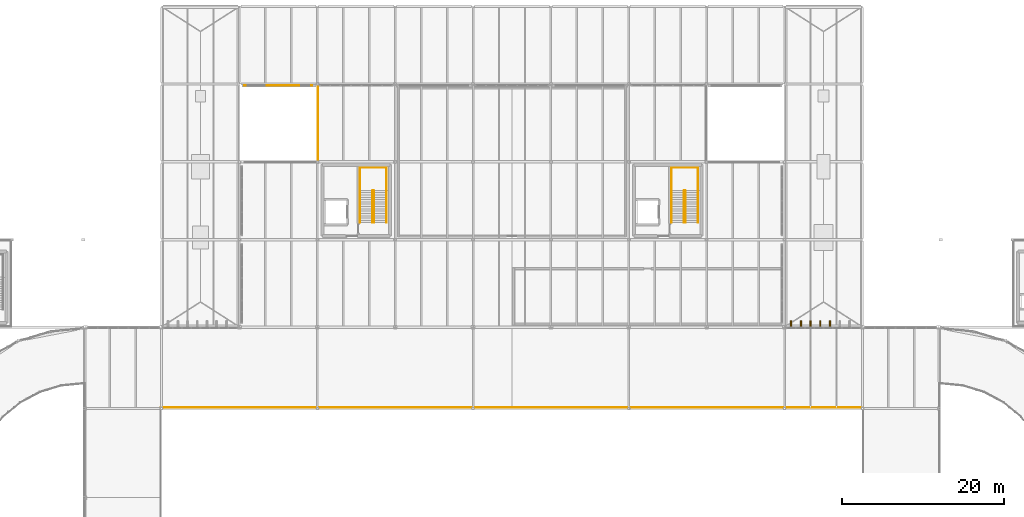
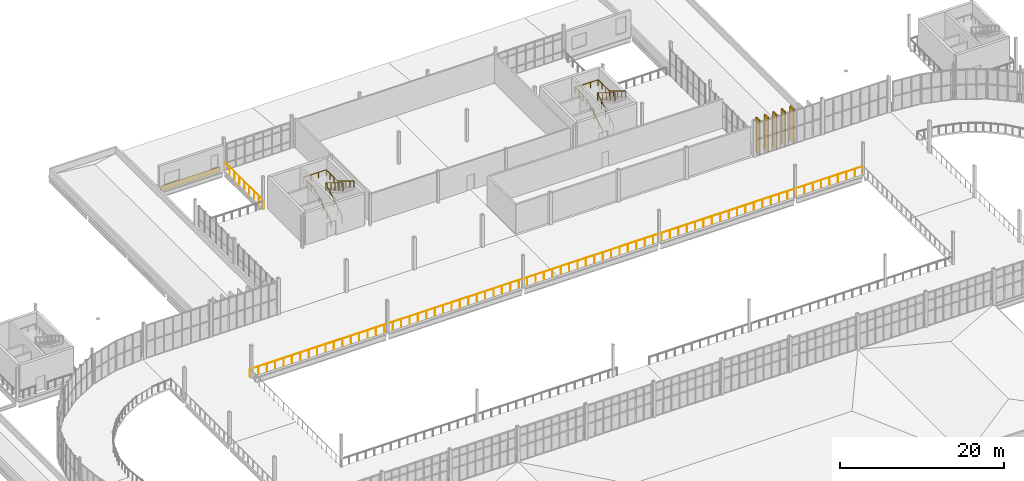
# One storey, part 108 of 112: 6 coverings, 6 railings.
"""IFC4 building model written with IfcOpenShell, lengths in metres."""

from ifc_helpers import new_model, si_unit, direction, frame, origin, origin_2d, place, context, subcontext, project, spatial, rectangle, circle, extrude, material, layer, layer_set, type_object, element, save


model = new_model("IFC4")

# Units and contexts
model_context = context("Model", 3, precision=1e-05, world=origin(), true_north=direction((0.0, 1.0)))
body_context = subcontext(model_context, "Body", "Model", "MODEL_VIEW")
ifc_project = project(units=[si_unit("LENGTHUNIT", "METRE"), si_unit("AREAUNIT", "SQUARE_METRE"), si_unit("VOLUMEUNIT", "CUBIC_METRE"), si_unit("PLANEANGLEUNIT", "RADIAN"), si_unit("MASSUNIT", "GRAM", prefix="KILO")], contexts=[model_context])

# Site, building, storey
site_placement = place(None, origin())
site = spatial("IfcSite", under=ifc_project, at=site_placement, CompositionType="ELEMENT")
building_placement = place(site_placement, origin())
building = spatial("IfcBuilding", under=site, at=building_placement, Name="Yeouljin Market Hall", CompositionType="ELEMENT")
storey_placement = place(building_placement, frame((0.0, 0.0, 6.0)))
storey = spatial("IfcBuildingStorey", under=building, at=storey_placement, Name="L01", CompositionType="ELEMENT", Elevation=6.0)

# Coverings
ifc_material_1 = material(Name="Clinker Brick Masonry F2-S2", Category="masonry")
ifc_layer_1 = layer(ifc_material_1, 0.090087890625)
ifc_layer_set_1 = layer_set([ifc_layer_1], Name="Clinker Brick Masonry F2-S2")
covering_type_1 = type_object("IfcCoveringType", Name="Covering_Brick_FacadeCladding", PredefinedType="CLADDING", material=ifc_layer_set_1)
covering_placement = place(storey_placement, frame((59.39990234375, 107.800048828125, 0.074951171875), z_axis=(0.0, 0.0, 1.0), x_axis=(1.0, 0.0, 0.0)))
element("IfcCovering", 1, at=covering_placement, inside=storey, type_object=covering_type_1, Name="Muizentand clinker brick spandrel band L01-17", PredefinedType="CLADDING", context=body_context, shape_type="SweptSolid", body=[
    extrude(rectangle(XDim=8.39990234375, YDim=0.090087890625, at=origin_2d()), origin(), (0.0, 0.0, 1.0), 0.75),
])
ifc_material_2 = material(Name="White Limestone and Bronze Solar Fin", Category="masonry")
ifc_layer_2 = layer(ifc_material_2, 0.179931640625)
ifc_layer_set_2 = layer_set([ifc_layer_2], Name="White Limestone and Bronze Solar Fin")
covering_type_2 = type_object("IfcCoveringType", Name="Covering_Limestone_SolarFin", PredefinedType="CLADDING", material=ifc_layer_set_2)
for number, where, z_axis, x_axis, name in (
    (2, (122.60009765625, 78.39990234375, 0.009765625), (0.0, 0.0, 1.0), (1.0, 0.0, 0.0), "Hall north vertical lantern fin 073"),
    (3, (123.800048828125, 78.39990234375, 0.009765625), (0.0, 0.0, 1.0), (1.0, 0.0, 0.0), "Hall north vertical lantern fin 074"),
    (4, (125.0, 78.39990234375, 0.009765625), (0.0, 0.0, 1.0), (1.0, 0.0, 0.0), "Hall north vertical lantern fin 075"),
    (5, (126.199951171875, 78.39990234375, 0.009765625), (0.0, 0.0, 1.0), (1.0, 0.0, 0.0), "Hall north vertical lantern fin 076"),
    (6, (127.39990234375, 78.39990234375, 0.009765625), (0.0, 0.0, 1.0), (1.0, 0.0, 0.0), "Hall north vertical lantern fin 077"),
):
    element("IfcCovering", number, at=place(storey_placement, frame(where, z_axis=z_axis, x_axis=x_axis)), inside=storey, type_object=covering_type_2, Name=name, PredefinedType="CLADDING", context=body_context, shape_type="SweptSolid", body=[
        extrude(rectangle(XDim=0.179931640625, YDim=0.8798828125, at=origin_2d()), origin(), (0.0, 0.0, 1.0), 5.110107421875),
    ])

# Railings
ifc_material_3 = material(Name="Wrought Iron and Bronze Gallery Balustrade")
railing_type_1 = type_object("IfcRailingType", Name="Railing_AtriumBalustrade_1200", PredefinedType="BALUSTRADE", material=ifc_material_3)
railing_1_placement = place(storey_placement, frame((64.300048828125, 98.300048828125, 0.0)))
element("IfcRailing", 7, at=railing_1_placement, inside=storey, type_object=railing_type_1, Name="Gallery & deck edge balustrade L01-074", PredefinedType="BALUSTRADE", context=body_context, shape_type="SweptSolid", body=[
    extrude(circle(Radius=0.02392578125, at=origin_2d()), frame((0.0, 0.0, 1.17578125), z_axis=(0.0, 1.0, 0.0), x_axis=(-1.0, 0.0, 0.0)), (0.0, 0.0, 1.0), 9.599853515625),
    extrude(circle(Radius=0.02099609375, at=origin_2d()), origin(), (0.0, 0.0, 1.0), 1.15185546875),
    extrude(circle(Radius=0.02099609375, at=origin_2d()), frame((0.0, 1.199951171875, 0.0)), (0.0, 0.0, 1.0), 1.15185546875),
    extrude(circle(Radius=0.02099609375, at=origin_2d()), frame((0.0, 2.39990234375, 0.0)), (0.0, 0.0, 1.0), 1.15185546875),
    extrude(circle(Radius=0.02099609375, at=origin_2d()), frame((0.0, 3.599853515625, 0.0)), (0.0, 0.0, 1.0), 1.15185546875),
    extrude(circle(Radius=0.02099609375, at=origin_2d()), frame((0.0, 4.7998046875, 0.0)), (0.0, 0.0, 1.0), 1.15185546875),
    extrude(circle(Radius=0.02099609375, at=origin_2d()), frame((0.0, 6.0, 0.0)), (0.0, 0.0, 1.0), 1.15185546875),
    extrude(circle(Radius=0.02099609375, at=origin_2d()), frame((0.0, 7.199951171875, 0.0)), (0.0, 0.0, 1.0), 1.15185546875),
    extrude(circle(Radius=0.02099609375, at=origin_2d()), frame((0.0, 8.39990234375, 0.0)), (0.0, 0.0, 1.0), 1.15185546875),
    extrude(circle(Radius=0.02099609375, at=origin_2d()), frame((0.0, 9.599853515625, 0.0)), (0.0, 0.0, 1.0), 1.15185546875),
])
railing_2_placement = place(storey_placement, frame((131.5, 68.10009765625, 0.0)))
element("IfcRailing", 8, at=railing_2_placement, inside=storey, type_object=railing_type_1, Name="Gallery & deck edge balustrade L01-122", PredefinedType="BALUSTRADE", context=body_context, shape_type="SweptSolid", body=[
    extrude(circle(Radius=0.02392578125, at=origin_2d()), frame((0.0, 0.0, 1.17578125), z_axis=(-1.0, 0.0, 0.0), x_axis=(0.0, -1.0, 0.0)), (0.0, 0.0, 1.0), 86.60009765625),
    extrude(circle(Radius=0.02099609375, at=origin_2d()), origin(), (0.0, 0.0, 1.0), 1.15185546875),
    extrude(circle(Radius=0.02099609375, at=origin_2d()), frame((-1.186279296875, 0.0, 0.0)), (0.0, 0.0, 1.0), 1.15185546875),
    extrude(circle(Radius=0.02099609375, at=origin_2d()), frame((-2.37255859375, 0.0, 0.0)), (0.0, 0.0, 1.0), 1.15185546875),
    extrude(circle(Radius=0.02099609375, at=origin_2d()), frame((-3.558837890625, 0.0, 0.0)), (0.0, 0.0, 1.0), 1.15185546875),
    extrude(circle(Radius=0.02099609375, at=origin_2d()), frame((-4.7451171875, 0.0, 0.0)), (0.0, 0.0, 1.0), 1.15185546875),
    extrude(circle(Radius=0.02099609375, at=origin_2d()), frame((-5.931396484375, 0.0, 0.0)), (0.0, 0.0, 1.0), 1.15185546875),
    extrude(circle(Radius=0.02099609375, at=origin_2d()), frame((-7.117919921875, 0.0, 0.0)), (0.0, 0.0, 1.0), 1.15185546875),
    extrude(circle(Radius=0.02099609375, at=origin_2d()), frame((-8.30419921875, 0.0, 0.0)), (0.0, 0.0, 1.0), 1.15185546875),
    extrude(circle(Radius=0.02099609375, at=origin_2d()), frame((-9.490478515625, 0.0, 0.0)), (0.0, 0.0, 1.0), 1.15185546875),
    extrude(circle(Radius=0.02099609375, at=origin_2d()), frame((-10.6767578125, 0.0, 0.0)), (0.0, 0.0, 1.0), 1.15185546875),
    extrude(circle(Radius=0.02099609375, at=origin_2d()), frame((-11.863037109375, 0.0, 0.0)), (0.0, 0.0, 1.0), 1.15185546875),
    extrude(circle(Radius=0.02099609375, at=origin_2d()), frame((-13.04931640625, 0.0, 0.0)), (0.0, 0.0, 1.0), 1.15185546875),
    extrude(circle(Radius=0.02099609375, at=origin_2d()), frame((-14.235595703125, 0.0, 0.0)), (0.0, 0.0, 1.0), 1.15185546875),
    extrude(circle(Radius=0.02099609375, at=origin_2d()), frame((-15.421875, 0.0, 0.0)), (0.0, 0.0, 1.0), 1.15185546875),
    extrude(circle(Radius=0.02099609375, at=origin_2d()), frame((-16.608154296875, 0.0, 0.0)), (0.0, 0.0, 1.0), 1.15185546875),
    extrude(circle(Radius=0.02099609375, at=origin_2d()), frame((-17.79443359375, 0.0, 0.0)), (0.0, 0.0, 1.0), 1.15185546875),
    extrude(circle(Radius=0.02099609375, at=origin_2d()), frame((-18.98095703125, 0.0, 0.0)), (0.0, 0.0, 1.0), 1.15185546875),
    extrude(circle(Radius=0.02099609375, at=origin_2d()), frame((-20.167236328125, 0.0, 0.0)), (0.0, 0.0, 1.0), 1.15185546875),
    extrude(circle(Radius=0.02099609375, at=origin_2d()), frame((-21.353515625, 0.0, 0.0)), (0.0, 0.0, 1.0), 1.15185546875),
    extrude(circle(Radius=0.02099609375, at=origin_2d()), frame((-22.539794921875, 0.0, 0.0)), (0.0, 0.0, 1.0), 1.15185546875),
    extrude(circle(Radius=0.02099609375, at=origin_2d()), frame((-23.72607421875, 0.0, 0.0)), (0.0, 0.0, 1.0), 1.15185546875),
    extrude(circle(Radius=0.02099609375, at=origin_2d()), frame((-24.912353515625, 0.0, 0.0)), (0.0, 0.0, 1.0), 1.15185546875),
    extrude(circle(Radius=0.02099609375, at=origin_2d()), frame((-26.0986328125, 0.0, 0.0)), (0.0, 0.0, 1.0), 1.15185546875),
    extrude(circle(Radius=0.02099609375, at=origin_2d()), frame((-27.284912109375, 0.0, 0.0)), (0.0, 0.0, 1.0), 1.15185546875),
    extrude(circle(Radius=0.02099609375, at=origin_2d()), frame((-28.47119140625, 0.0, 0.0)), (0.0, 0.0, 1.0), 1.15185546875),
    extrude(circle(Radius=0.02099609375, at=origin_2d()), frame((-29.657470703125, 0.0, 0.0)), (0.0, 0.0, 1.0), 1.15185546875),
    extrude(circle(Radius=0.02099609375, at=origin_2d()), frame((-30.84375, 0.0, 0.0)), (0.0, 0.0, 1.0), 1.15185546875),
    extrude(circle(Radius=0.02099609375, at=origin_2d()), frame((-32.0302734375, 0.0, 0.0)), (0.0, 0.0, 1.0), 1.15185546875),
    extrude(circle(Radius=0.02099609375, at=origin_2d()), frame((-33.216552734375, 0.0, 0.0)), (0.0, 0.0, 1.0), 1.15185546875),
    extrude(circle(Radius=0.02099609375, at=origin_2d()), frame((-34.40283203125, 0.0, 0.0)), (0.0, 0.0, 1.0), 1.15185546875),
    extrude(circle(Radius=0.02099609375, at=origin_2d()), frame((-35.589111328125, 0.0, 0.0)), (0.0, 0.0, 1.0), 1.15185546875),
    extrude(circle(Radius=0.02099609375, at=origin_2d()), frame((-36.775390625, 0.0, 0.0)), (0.0, 0.0, 1.0), 1.15185546875),
    extrude(circle(Radius=0.02099609375, at=origin_2d()), frame((-37.961669921875, 0.0, 0.0)), (0.0, 0.0, 1.0), 1.15185546875),
    extrude(circle(Radius=0.02099609375, at=origin_2d()), frame((-39.14794921875, 0.0, 0.0)), (0.0, 0.0, 1.0), 1.15185546875),
    extrude(circle(Radius=0.02099609375, at=origin_2d()), frame((-40.334228515625, 0.0, 0.0)), (0.0, 0.0, 1.0), 1.15185546875),
    extrude(circle(Radius=0.02099609375, at=origin_2d()), frame((-41.5205078125, 0.0, 0.0)), (0.0, 0.0, 1.0), 1.15185546875),
    extrude(circle(Radius=0.02099609375, at=origin_2d()), frame((-42.706787109375, 0.0, 0.0)), (0.0, 0.0, 1.0), 1.15185546875),
    extrude(circle(Radius=0.02099609375, at=origin_2d()), frame((-43.893310546875, 0.0, 0.0)), (0.0, 0.0, 1.0), 1.15185546875),
    extrude(circle(Radius=0.02099609375, at=origin_2d()), frame((-45.07958984375, 0.0, 0.0)), (0.0, 0.0, 1.0), 1.15185546875),
    extrude(circle(Radius=0.02099609375, at=origin_2d()), frame((-46.265869140625, 0.0, 0.0)), (0.0, 0.0, 1.0), 1.15185546875),
    extrude(circle(Radius=0.02099609375, at=origin_2d()), frame((-47.4521484375, 0.0, 0.0)), (0.0, 0.0, 1.0), 1.15185546875),
    extrude(circle(Radius=0.02099609375, at=origin_2d()), frame((-48.638427734375, 0.0, 0.0)), (0.0, 0.0, 1.0), 1.15185546875),
    extrude(circle(Radius=0.02099609375, at=origin_2d()), frame((-49.82470703125, 0.0, 0.0)), (0.0, 0.0, 1.0), 1.15185546875),
    extrude(circle(Radius=0.02099609375, at=origin_2d()), frame((-51.010986328125, 0.0, 0.0)), (0.0, 0.0, 1.0), 1.15185546875),
    extrude(circle(Radius=0.02099609375, at=origin_2d()), frame((-52.197265625, 0.0, 0.0)), (0.0, 0.0, 1.0), 1.15185546875),
    extrude(circle(Radius=0.02099609375, at=origin_2d()), frame((-53.383544921875, 0.0, 0.0)), (0.0, 0.0, 1.0), 1.15185546875),
    extrude(circle(Radius=0.02099609375, at=origin_2d()), frame((-54.56982421875, 0.0, 0.0)), (0.0, 0.0, 1.0), 1.15185546875),
    extrude(circle(Radius=0.02099609375, at=origin_2d()), frame((-55.75634765625, 0.0, 0.0)), (0.0, 0.0, 1.0), 1.15185546875),
    extrude(circle(Radius=0.02099609375, at=origin_2d()), frame((-56.942626953125, 0.0, 0.0)), (0.0, 0.0, 1.0), 1.15185546875),
    extrude(circle(Radius=0.02099609375, at=origin_2d()), frame((-58.12890625, 0.0, 0.0)), (0.0, 0.0, 1.0), 1.15185546875),
    extrude(circle(Radius=0.02099609375, at=origin_2d()), frame((-59.315185546875, 0.0, 0.0)), (0.0, 0.0, 1.0), 1.15185546875),
    extrude(circle(Radius=0.02099609375, at=origin_2d()), frame((-60.50146484375, 0.0, 0.0)), (0.0, 0.0, 1.0), 1.15185546875),
    extrude(circle(Radius=0.02099609375, at=origin_2d()), frame((-61.687744140625, 0.0, 0.0)), (0.0, 0.0, 1.0), 1.15185546875),
    extrude(circle(Radius=0.02099609375, at=origin_2d()), frame((-62.8740234375, 0.0, 0.0)), (0.0, 0.0, 1.0), 1.15185546875),
    extrude(circle(Radius=0.02099609375, at=origin_2d()), frame((-64.060302734375, 0.0, 0.0)), (0.0, 0.0, 1.0), 1.15185546875),
    extrude(circle(Radius=0.02099609375, at=origin_2d()), frame((-65.24658203125, 0.0, 0.0)), (0.0, 0.0, 1.0), 1.15185546875),
    extrude(circle(Radius=0.02099609375, at=origin_2d()), frame((-66.432861328125, 0.0, 0.0)), (0.0, 0.0, 1.0), 1.15185546875),
    extrude(circle(Radius=0.02099609375, at=origin_2d()), frame((-67.619140625, 0.0, 0.0)), (0.0, 0.0, 1.0), 1.15185546875),
    extrude(circle(Radius=0.02099609375, at=origin_2d()), frame((-68.8056640625, 0.0, 0.0)), (0.0, 0.0, 1.0), 1.15185546875),
    extrude(circle(Radius=0.02099609375, at=origin_2d()), frame((-69.991943359375, 0.0, 0.0)), (0.0, 0.0, 1.0), 1.15185546875),
    extrude(circle(Radius=0.02099609375, at=origin_2d()), frame((-71.17822265625, 0.0, 0.0)), (0.0, 0.0, 1.0), 1.15185546875),
    extrude(circle(Radius=0.02099609375, at=origin_2d()), frame((-72.364501953125, 0.0, 0.0)), (0.0, 0.0, 1.0), 1.15185546875),
    extrude(circle(Radius=0.02099609375, at=origin_2d()), frame((-73.55078125, 0.0, 0.0)), (0.0, 0.0, 1.0), 1.15185546875),
    extrude(circle(Radius=0.02099609375, at=origin_2d()), frame((-74.737060546875, 0.0, 0.0)), (0.0, 0.0, 1.0), 1.15185546875),
    extrude(circle(Radius=0.02099609375, at=origin_2d()), frame((-75.92333984375, 0.0, 0.0)), (0.0, 0.0, 1.0), 1.15185546875),
    extrude(circle(Radius=0.02099609375, at=origin_2d()), frame((-77.109619140625, 0.0, 0.0)), (0.0, 0.0, 1.0), 1.15185546875),
    extrude(circle(Radius=0.02099609375, at=origin_2d()), frame((-78.2958984375, 0.0, 0.0)), (0.0, 0.0, 1.0), 1.15185546875),
    extrude(circle(Radius=0.02099609375, at=origin_2d()), frame((-79.482177734375, 0.0, 0.0)), (0.0, 0.0, 1.0), 1.15185546875),
    extrude(circle(Radius=0.02099609375, at=origin_2d()), frame((-80.668701171875, 0.0, 0.0)), (0.0, 0.0, 1.0), 1.15185546875),
    extrude(circle(Radius=0.02099609375, at=origin_2d()), frame((-81.85498046875, 0.0, 0.0)), (0.0, 0.0, 1.0), 1.15185546875),
    extrude(circle(Radius=0.02099609375, at=origin_2d()), frame((-83.041259765625, 0.0, 0.0)), (0.0, 0.0, 1.0), 1.15185546875),
    extrude(circle(Radius=0.02099609375, at=origin_2d()), frame((-84.2275390625, 0.0, 0.0)), (0.0, 0.0, 1.0), 1.15185546875),
    extrude(circle(Radius=0.02099609375, at=origin_2d()), frame((-85.413818359375, 0.0, 0.0)), (0.0, 0.0, 1.0), 1.15185546875),
    extrude(circle(Radius=0.02099609375, at=origin_2d()), frame((-86.60009765625, 0.0, 0.0)), (0.0, 0.0, 1.0), 1.15185546875),
])
ifc_material_4 = material(Name="Painted Steel Stair Guardrail", Category="steel")
railing_type_2 = type_object("IfcRailingType", Name="Railing_StairGuard_1200", PredefinedType="GUARDRAIL", material=ifc_material_4)
railing_3_placement = place(storey_placement, frame((71.02001953125, 90.89990234375, 0.0)))
element("IfcRailing", 9, at=railing_3_placement, inside=storey, type_object=railing_type_2, Name="Stair ST-C5-L01 inner well guardrail", PredefinedType="GUARDRAIL", context=body_context, shape_type="SweptSolid", body=[
    extrude(circle(Radius=0.02392578125, at=origin_2d()), frame((0.0, 0.0, 1.17578125), z_axis=(0.0, 0.854636844594, 0.519226216462), x_axis=(-1.0, 0.0, 0.0)), (0.0, 0.0, 1.0), 4.6220703125),
    extrude(circle(Radius=0.02392578125, at=origin_2d()), frame((0.0, 3.9501953125, 3.57568359375), z_axis=(1.0, 0.0, 0.0), x_axis=(0.0, 1.0, 0.0)), (0.0, 0.0, 1.0), 0.159912109375),
    extrude(circle(Radius=0.02392578125, at=origin_2d()), frame((0.159912109375, 3.9501953125, 3.57568359375), z_axis=(0.0, -0.854613405245, 0.519264795239), x_axis=(1.0, 0.0, 0.0)), (0.0, 0.0, 1.0), 4.622314453125),
    extrude(circle(Radius=0.02099609375, at=origin_2d()), origin(), (0.0, 0.0, 1.0), 1.15185546875),
    extrude(circle(Radius=0.02099609375, at=origin_2d()), frame((0.0, 0.987548828125, 0.60009765625)), (0.0, 0.0, 1.0), 1.15185546875),
    extrude(circle(Radius=0.02099609375, at=origin_2d()), frame((0.0, 1.97509765625, 1.199951171875)), (0.0, 0.0, 1.0), 1.15185546875),
    extrude(circle(Radius=0.02099609375, at=origin_2d()), frame((0.0, 2.962646484375, 1.7998046875)), (0.0, 0.0, 1.0), 1.15185546875),
    extrude(circle(Radius=0.02099609375, at=origin_2d()), frame((0.0, 3.9501953125, 2.39990234375)), (0.0, 0.0, 1.0), 1.15185546875),
    extrude(circle(Radius=0.02099609375, at=origin_2d()), frame((0.159912109375, 3.9501953125, 2.39990234375)), (0.0, 0.0, 1.0), 1.15185546875),
    extrude(circle(Radius=0.02099609375, at=origin_2d()), frame((0.159912109375, 2.962646484375, 3.0)), (0.0, 0.0, 1.0), 1.15185546875),
    extrude(circle(Radius=0.02099609375, at=origin_2d()), frame((0.159912109375, 1.97509765625, 3.60009765625)), (0.0, 0.0, 1.0), 1.15185546875),
    extrude(circle(Radius=0.02099609375, at=origin_2d()), frame((0.159912109375, 0.987548828125, 4.199951171875)), (0.0, 0.0, 1.0), 1.15185546875),
    extrude(circle(Radius=0.02099609375, at=origin_2d()), frame((0.159912109375, 0.0, 4.800048828125)), (0.0, 0.0, 1.0), 1.15185546875),
])
railing_4_placement = place(storey_placement, frame((109.419921875, 90.89990234375, 0.0)))
element("IfcRailing", 10, at=railing_4_placement, inside=storey, type_object=railing_type_2, Name="Stair ST-C6-L01 inner well guardrail", PredefinedType="GUARDRAIL", context=body_context, shape_type="SweptSolid", body=[
    extrude(circle(Radius=0.02392578125, at=origin_2d()), frame((0.0, 0.0, 1.17578125), z_axis=(0.0, 0.854636844594, 0.519226216462), x_axis=(-1.0, 0.0, 0.0)), (0.0, 0.0, 1.0), 4.6220703125),
    extrude(circle(Radius=0.02392578125, at=origin_2d()), frame((0.0, 3.9501953125, 3.57568359375), z_axis=(1.0, 0.0, 0.0), x_axis=(0.0, 1.0, 0.0)), (0.0, 0.0, 1.0), 0.16015625),
    extrude(circle(Radius=0.02392578125, at=origin_2d()), frame((0.16015625, 3.9501953125, 3.57568359375), z_axis=(0.0, -0.854613405245, 0.519264795239), x_axis=(1.0, 0.0, 0.0)), (0.0, 0.0, 1.0), 4.622314453125),
    extrude(circle(Radius=0.02099609375, at=origin_2d()), origin(), (0.0, 0.0, 1.0), 1.15185546875),
    extrude(circle(Radius=0.02099609375, at=origin_2d()), frame((0.0, 0.987548828125, 0.60009765625)), (0.0, 0.0, 1.0), 1.15185546875),
    extrude(circle(Radius=0.02099609375, at=origin_2d()), frame((0.0, 1.97509765625, 1.199951171875)), (0.0, 0.0, 1.0), 1.15185546875),
    extrude(circle(Radius=0.02099609375, at=origin_2d()), frame((0.0, 2.962646484375, 1.7998046875)), (0.0, 0.0, 1.0), 1.15185546875),
    extrude(circle(Radius=0.02099609375, at=origin_2d()), frame((0.0, 3.9501953125, 2.39990234375)), (0.0, 0.0, 1.0), 1.15185546875),
    extrude(circle(Radius=0.02099609375, at=origin_2d()), frame((0.16015625, 3.9501953125, 2.39990234375)), (0.0, 0.0, 1.0), 1.15185546875),
    extrude(circle(Radius=0.02099609375, at=origin_2d()), frame((0.16015625, 2.962646484375, 3.0)), (0.0, 0.0, 1.0), 1.15185546875),
    extrude(circle(Radius=0.02099609375, at=origin_2d()), frame((0.16015625, 1.97509765625, 3.60009765625)), (0.0, 0.0, 1.0), 1.15185546875),
    extrude(circle(Radius=0.02099609375, at=origin_2d()), frame((0.16015625, 0.987548828125, 4.199951171875)), (0.0, 0.0, 1.0), 1.15185546875),
    extrude(circle(Radius=0.02099609375, at=origin_2d()), frame((0.16015625, 0.0, 4.800048828125)), (0.0, 0.0, 1.0), 1.15185546875),
])
ifc_material_5 = material(Name="Brushed Stainless Steel", Category="steel")
railing_type_3 = type_object("IfcRailingType", Name="Railing_StairHandrail_900", PredefinedType="HANDRAIL", material=ifc_material_5)
railing_5_placement = place(storey_placement, frame((69.47998046875, 90.89990234375, 0.0)))
element("IfcRailing", 11, at=railing_5_placement, inside=storey, type_object=railing_type_3, Name="Stair ST-C5-L01 wall handrail", PredefinedType="HANDRAIL", context=body_context, shape_type="SweptSolid", body=[
    extrude(circle(Radius=0.02392578125, at=origin_2d()), frame((0.0, 0.0, 0.8759765625), z_axis=(0.0, 0.854636844594, 0.519226216462), x_axis=(-1.0, 0.0, 0.0)), (0.0, 0.0, 1.0), 4.6220703125),
    extrude(circle(Radius=0.02392578125, at=origin_2d()), frame((0.0, 3.9501953125, 3.27587890625), z_axis=(0.0, 1.0, 0.0), x_axis=(-1.0, 0.0, 0.0)), (0.0, 0.0, 1.0), 2.81982421875),
    extrude(circle(Radius=0.02392578125, at=origin_2d()), frame((0.0, 6.77001953125, 3.27587890625), z_axis=(1.0, 0.0, 0.0), x_axis=(0.0, 1.0, 0.0)), (0.0, 0.0, 1.0), 3.239990234375),
    extrude(circle(Radius=0.02392578125, at=origin_2d()), frame((3.239990234375, 6.77001953125, 3.27587890625), z_axis=(0.0, -1.0, 0.0), x_axis=(1.0, 0.0, 0.0)), (0.0, 0.0, 1.0), 2.81982421875),
    extrude(circle(Radius=0.02392578125, at=origin_2d()), frame((3.239990234375, 3.9501953125, 3.27587890625), z_axis=(0.0, -0.854613405245, 0.519264795239), x_axis=(1.0, 0.0, 0.0)), (0.0, 0.0, 1.0), 4.622314453125),
    extrude(circle(Radius=0.02099609375, at=origin_2d()), origin(), (0.0, 0.0, 1.0), 0.851806640625),
    extrude(circle(Radius=0.02099609375, at=origin_2d()), frame((0.0, 0.987548828125, 0.60009765625)), (0.0, 0.0, 1.0), 0.851806640625),
    extrude(circle(Radius=0.02099609375, at=origin_2d()), frame((0.0, 1.97509765625, 1.199951171875)), (0.0, 0.0, 1.0), 0.851806640625),
    extrude(circle(Radius=0.02099609375, at=origin_2d()), frame((0.0, 2.962646484375, 1.7998046875)), (0.0, 0.0, 1.0), 0.851806640625),
    extrude(circle(Radius=0.02099609375, at=origin_2d()), frame((0.0, 3.9501953125, 2.39990234375)), (0.0, 0.0, 1.0), 0.851806640625),
    extrude(circle(Radius=0.02099609375, at=origin_2d()), frame((0.0, 4.89013671875, 2.39990234375)), (0.0, 0.0, 1.0), 0.851806640625),
    extrude(circle(Radius=0.02099609375, at=origin_2d()), frame((0.0, 5.830078125, 2.39990234375)), (0.0, 0.0, 1.0), 0.851806640625),
    extrude(circle(Radius=0.02099609375, at=origin_2d()), frame((0.0, 6.77001953125, 2.39990234375)), (0.0, 0.0, 1.0), 0.851806640625),
    extrude(circle(Radius=0.02099609375, at=origin_2d()), frame((1.080078125, 6.77001953125, 2.39990234375)), (0.0, 0.0, 1.0), 0.851806640625),
    extrude(circle(Radius=0.02099609375, at=origin_2d()), frame((2.159912109375, 6.77001953125, 2.39990234375)), (0.0, 0.0, 1.0), 0.851806640625),
    extrude(circle(Radius=0.02099609375, at=origin_2d()), frame((3.239990234375, 6.77001953125, 2.39990234375)), (0.0, 0.0, 1.0), 0.851806640625),
    extrude(circle(Radius=0.02099609375, at=origin_2d()), frame((3.239990234375, 5.830078125, 2.39990234375)), (0.0, 0.0, 1.0), 0.851806640625),
    extrude(circle(Radius=0.02099609375, at=origin_2d()), frame((3.239990234375, 4.89013671875, 2.39990234375)), (0.0, 0.0, 1.0), 0.851806640625),
    extrude(circle(Radius=0.02099609375, at=origin_2d()), frame((3.239990234375, 3.9501953125, 2.39990234375)), (0.0, 0.0, 1.0), 0.851806640625),
    extrude(circle(Radius=0.02099609375, at=origin_2d()), frame((3.239990234375, 2.962646484375, 3.0)), (0.0, 0.0, 1.0), 0.851806640625),
    extrude(circle(Radius=0.02099609375, at=origin_2d()), frame((3.239990234375, 1.97509765625, 3.60009765625)), (0.0, 0.0, 1.0), 0.851806640625),
    extrude(circle(Radius=0.02099609375, at=origin_2d()), frame((3.239990234375, 0.987548828125, 4.199951171875)), (0.0, 0.0, 1.0), 0.851806640625),
    extrude(circle(Radius=0.02099609375, at=origin_2d()), frame((3.239990234375, 0.0, 4.800048828125)), (0.0, 0.0, 1.0), 0.851806640625),
])
railing_6_placement = place(storey_placement, frame((107.8798828125, 90.89990234375, 0.0)))
element("IfcRailing", 12, at=railing_6_placement, inside=storey, type_object=railing_type_3, Name="Stair ST-C6-L01 wall handrail", PredefinedType="HANDRAIL", context=body_context, shape_type="SweptSolid", body=[
    extrude(circle(Radius=0.02392578125, at=origin_2d()), frame((0.0, 0.0, 0.8759765625), z_axis=(0.0, 0.854636844594, 0.519226216462), x_axis=(-1.0, 0.0, 0.0)), (0.0, 0.0, 1.0), 4.6220703125),
    extrude(circle(Radius=0.02392578125, at=origin_2d()), frame((0.0, 3.9501953125, 3.27587890625), z_axis=(0.0, 1.0, 0.0), x_axis=(-1.0, 0.0, 0.0)), (0.0, 0.0, 1.0), 2.81982421875),
    extrude(circle(Radius=0.02392578125, at=origin_2d()), frame((0.0, 6.77001953125, 3.27587890625), z_axis=(1.0, 0.0, 0.0), x_axis=(0.0, 1.0, 0.0)), (0.0, 0.0, 1.0), 3.240234375),
    extrude(circle(Radius=0.02392578125, at=origin_2d()), frame((3.240234375, 6.77001953125, 3.27587890625), z_axis=(0.0, -1.0, 0.0), x_axis=(1.0, 0.0, 0.0)), (0.0, 0.0, 1.0), 2.81982421875),
    extrude(circle(Radius=0.02392578125, at=origin_2d()), frame((3.240234375, 3.9501953125, 3.27587890625), z_axis=(0.0, -0.854613405245, 0.519264795239), x_axis=(1.0, 0.0, 0.0)), (0.0, 0.0, 1.0), 4.622314453125),
    extrude(circle(Radius=0.02099609375, at=origin_2d()), origin(), (0.0, 0.0, 1.0), 0.851806640625),
    extrude(circle(Radius=0.02099609375, at=origin_2d()), frame((0.0, 0.987548828125, 0.60009765625)), (0.0, 0.0, 1.0), 0.851806640625),
    extrude(circle(Radius=0.02099609375, at=origin_2d()), frame((0.0, 1.97509765625, 1.199951171875)), (0.0, 0.0, 1.0), 0.851806640625),
    extrude(circle(Radius=0.02099609375, at=origin_2d()), frame((0.0, 2.962646484375, 1.7998046875)), (0.0, 0.0, 1.0), 0.851806640625),
    extrude(circle(Radius=0.02099609375, at=origin_2d()), frame((0.0, 3.9501953125, 2.39990234375)), (0.0, 0.0, 1.0), 0.851806640625),
    extrude(circle(Radius=0.02099609375, at=origin_2d()), frame((0.0, 4.89013671875, 2.39990234375)), (0.0, 0.0, 1.0), 0.851806640625),
    extrude(circle(Radius=0.02099609375, at=origin_2d()), frame((0.0, 5.830078125, 2.39990234375)), (0.0, 0.0, 1.0), 0.851806640625),
    extrude(circle(Radius=0.02099609375, at=origin_2d()), frame((0.0, 6.77001953125, 2.39990234375)), (0.0, 0.0, 1.0), 0.851806640625),
    extrude(circle(Radius=0.02099609375, at=origin_2d()), frame((1.080078125, 6.77001953125, 2.39990234375)), (0.0, 0.0, 1.0), 0.851806640625),
    extrude(circle(Radius=0.02099609375, at=origin_2d()), frame((2.16015625, 6.77001953125, 2.39990234375)), (0.0, 0.0, 1.0), 0.851806640625),
    extrude(circle(Radius=0.02099609375, at=origin_2d()), frame((3.240234375, 6.77001953125, 2.39990234375)), (0.0, 0.0, 1.0), 0.851806640625),
    extrude(circle(Radius=0.02099609375, at=origin_2d()), frame((3.240234375, 5.830078125, 2.39990234375)), (0.0, 0.0, 1.0), 0.851806640625),
    extrude(circle(Radius=0.02099609375, at=origin_2d()), frame((3.240234375, 4.89013671875, 2.39990234375)), (0.0, 0.0, 1.0), 0.851806640625),
    extrude(circle(Radius=0.02099609375, at=origin_2d()), frame((3.240234375, 3.9501953125, 2.39990234375)), (0.0, 0.0, 1.0), 0.851806640625),
    extrude(circle(Radius=0.02099609375, at=origin_2d()), frame((3.240234375, 2.962646484375, 3.0)), (0.0, 0.0, 1.0), 0.851806640625),
    extrude(circle(Radius=0.02099609375, at=origin_2d()), frame((3.240234375, 1.97509765625, 3.60009765625)), (0.0, 0.0, 1.0), 0.851806640625),
    extrude(circle(Radius=0.02099609375, at=origin_2d()), frame((3.240234375, 0.987548828125, 4.199951171875)), (0.0, 0.0, 1.0), 0.851806640625),
    extrude(circle(Radius=0.02099609375, at=origin_2d()), frame((3.240234375, 0.0, 4.800048828125)), (0.0, 0.0, 1.0), 0.851806640625),
])

save(model, "model.ifc")
